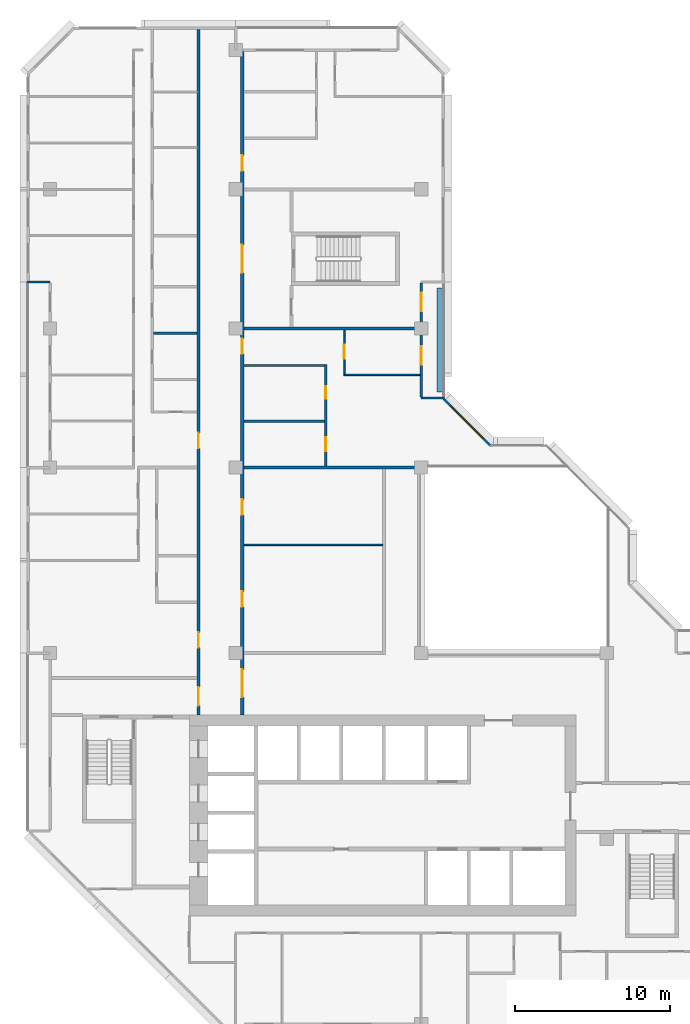
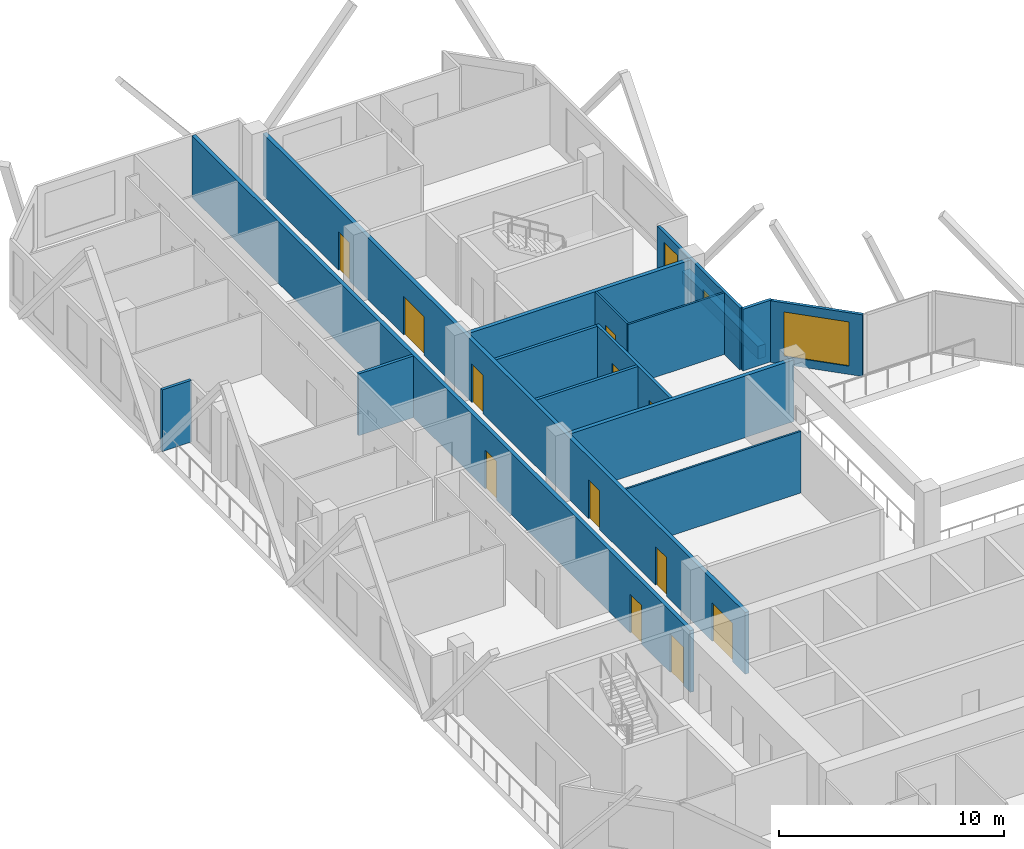
# One storey, part 9 of 15: 16 walls, 13 doors, 2 windows, 15 openings.
"""IFC4 building model written with IfcOpenShell, lengths in metres."""

from ifc_helpers import new_model, si_unit, direction, frame, frame_2d, origin, place, context, subcontext, project, spatial, rectangle, extrude, material, layer, layer_set, type_object, element, fill, save


model = new_model("IFC4")

# Units and contexts
model_context = context("Model", 3, precision=1e-05, world=origin(), true_north=direction((0.0, 1.0)))
body_context = subcontext(model_context, "Body", "Model", "MODEL_VIEW")
ifc_project = project(units=[si_unit("LENGTHUNIT", "METRE"), si_unit("AREAUNIT", "SQUARE_METRE"), si_unit("VOLUMEUNIT", "CUBIC_METRE"), si_unit("PLANEANGLEUNIT", "RADIAN"), si_unit("MASSUNIT", "GRAM", prefix="KILO")], contexts=[model_context])

# Site, building, storey
site_placement = place(None, origin())
site = spatial("IfcSite", under=ifc_project, at=site_placement, CompositionType="ELEMENT")
building_placement = place(site_placement, origin())
building = spatial("IfcBuilding", under=site, at=building_placement, Name="Chenar Terraces", CompositionType="ELEMENT")
storey_placement = place(building_placement, frame((0.0, 0.0, 211.64990234375)))
storey = spatial("IfcBuildingStorey", under=building, at=storey_placement, Name="L49", CompositionType="ELEMENT", Elevation=211.64990234375)

# Wall, openings, doors
ifc_material_1 = material(Name="Gypsum board on steel studs with fire boards", Category="steel")
ifc_layer_1 = layer(ifc_material_1, 0.199951171875)
ifc_layer_set_1 = layer_set([ifc_layer_1], Name="Gypsum board on steel studs with fire boards")
wall_type_1 = type_object("IfcWallType", Name="Corridor wall 200", PredefinedType="PARTITIONING", material=ifc_layer_set_1)
wall_1_placement = place(storey_placement, frame((9.60009765625, 20.0, 0.0), z_axis=(0.0, 0.0, 1.0), x_axis=(0.0, 1.0, 0.0)))
wall_1 = element("IfcWall", 1, at=wall_1_placement, inside=storey, type_object=wall_type_1, Name="Partition L49-030", PredefinedType="PARTITIONING", context=body_context, shape_type="SweptSolid", body=[
    extrude(rectangle(XDim=44.35009765625, YDim=0.199951171875, at=frame_2d((22.175048828125, 0.0))), origin(), (0.0, 0.0, 1.0), 3.35009765625),
])
opening_1_placement = place(wall_1_placement, frame((17.25, 0.0, 0.0)))
opening_1 = element("IfcOpeningElement", 2, at=opening_1_placement, cuts=wall_1, Name="Opening DL49-29", PredefinedType="OPENING", context=body_context, shape_type="SweptSolid", body=[
    extrude(rectangle(XDim=1.0, YDim=2.10009765625, at=frame_2d((0.5, 1.050048828125))), frame((0.0, 0.10986328125, 0.0), z_axis=(0.0, -1.0, 0.0), x_axis=(1.0, 0.0, 0.0)), (0.0, 0.0, 1.0), 0.219970703125),
])
opening_2_placement = place(wall_1_placement, frame((0.60009765625, 0.0, 0.0)))
opening_2 = element("IfcOpeningElement", 3, at=opening_2_placement, cuts=wall_1, Name="Opening DL49-40", PredefinedType="OPENING", context=body_context, shape_type="SweptSolid", body=[
    extrude(rectangle(XDim=1.199951171875, YDim=2.10009765625, at=frame_2d((0.60009765625, 1.050048828125))), frame((0.0, 0.10986328125, 0.0), z_axis=(0.0, -1.0, 0.0), x_axis=(1.0, 0.0, 0.0)), (0.0, 0.0, 1.0), 0.219970703125),
])
opening_3_placement = place(wall_1_placement, frame((4.35009765625, 0.0, 0.0)))
opening_3 = element("IfcOpeningElement", 4, at=opening_3_placement, cuts=wall_1, Name="Opening DL49-61", PredefinedType="OPENING", context=body_context, shape_type="SweptSolid", body=[
    extrude(rectangle(XDim=1.0, YDim=2.10009765625, at=frame_2d((0.5, 1.050048828125))), frame((0.0, 0.10986328125, 0.0), z_axis=(0.0, -1.0, 0.0), x_axis=(1.0, 0.0, 0.0)), (0.0, 0.0, 1.0), 0.219970703125),
])
ifc_material_2 = material(Name="Steel-framed fire-resisting door leaf", Category="steel")
door_type_1 = type_object("IfcDoorType", Name="Fire door FD30S 1000 x 2100", OperationType="SINGLE_SWING_LEFT", PredefinedType="DOOR", material=ifc_material_2)
door_1_placement = place(opening_1_placement, origin())
door_1 = element("IfcDoor", 5, at=door_1_placement, inside=storey, type_object=door_type_1, Name="Door DL49-29", OperationType="SINGLE_SWING_LEFT", OverallHeight=2.10009765625, OverallWidth=1.0, PredefinedType="DOOR", context=body_context, shape_type="SweptSolid", body=[
    extrude(rectangle(XDim=1.0, YDim=2.10009765625, at=frame_2d((0.5, 1.050048828125))), frame((0.0, 0.02490234375, 0.0), z_axis=(0.0, -1.0, 0.0), x_axis=(1.0, 0.0, 0.0)), (0.0, 0.0, 1.0), 0.050048828125),
])
fill(opening_1, door_1)
door_2_placement = place(opening_3_placement, origin())
door_2 = element("IfcDoor", 6, at=door_2_placement, inside=storey, type_object=door_type_1, Name="Door DL49-61", OperationType="SINGLE_SWING_RIGHT", OverallHeight=2.10009765625, OverallWidth=1.0, PredefinedType="DOOR", context=body_context, shape_type="SweptSolid", body=[
    extrude(rectangle(XDim=1.0, YDim=2.10009765625, at=frame_2d((0.5, 1.050048828125))), frame((0.0, 0.02490234375, 0.0), z_axis=(0.0, -1.0, 0.0), x_axis=(1.0, 0.0, 0.0)), (0.0, 0.0, 1.0), 0.050048828125),
])
fill(opening_3, door_2)
ifc_material_3 = material(Name="Steel-framed fire-resisting door leaf", Category="steel")
door_type_2 = type_object("IfcDoorType", Name="Fire door FD30S 1200 x 2100", OperationType="SINGLE_SWING_LEFT", PredefinedType="DOOR", material=ifc_material_3)
door_3_placement = place(opening_2_placement, origin())
door_3 = element("IfcDoor", 7, at=door_3_placement, inside=storey, type_object=door_type_2, Name="Door DL49-40", OperationType="SINGLE_SWING_RIGHT", OverallHeight=2.10009765625, OverallWidth=1.199951171875, PredefinedType="DOOR", context=body_context, shape_type="SweptSolid", body=[
    extrude(rectangle(XDim=1.199951171875, YDim=2.10009765625, at=frame_2d((0.60009765625, 1.050048828125))), frame((0.0, 0.02490234375, 0.0), z_axis=(0.0, -1.0, 0.0), x_axis=(1.0, 0.0, 0.0)), (0.0, 0.0, 1.0), 0.050048828125),
])
fill(opening_2, door_3)

wall_2_placement = place(storey_placement, frame((12.425048828125, 20.0, 0.0), z_axis=(0.0, 0.0, 1.0), x_axis=(0.0, 1.0, 0.0)))
wall_2 = element("IfcWall", 8, at=wall_2_placement, inside=storey, type_object=wall_type_1, Name="Partition L49-033", PredefinedType="PARTITIONING", context=body_context, shape_type="SweptSolid", body=[
    extrude(rectangle(XDim=42.926025390625, YDim=0.199951171875, at=frame_2d((21.462890625, 0.0))), origin(), (0.0, 0.0, 1.0), 3.35009765625),
])
opening_4_placement = place(wall_2_placement, frame((7.0, 0.0, 0.0)))
opening_4 = element("IfcOpeningElement", 9, at=opening_4_placement, cuts=wall_2, Name="Opening DL49-1", PredefinedType="OPENING", context=body_context, shape_type="SweptSolid", body=[
    extrude(rectangle(XDim=1.0, YDim=2.10009765625, at=frame_2d((0.5, 1.050048828125))), frame((0.0, 0.10986328125, 0.0), z_axis=(0.0, -1.0, 0.0), x_axis=(1.0, 0.0, 0.0)), (0.0, 0.0, 1.0), 0.219970703125),
])
opening_5_placement = place(wall_2_placement, frame((12.949951171875, 0.0, 0.0)))
opening_5 = element("IfcOpeningElement", 10, at=opening_5_placement, cuts=wall_2, Name="Opening DL49-2", PredefinedType="OPENING", context=body_context, shape_type="SweptSolid", body=[
    extrude(rectangle(XDim=1.0, YDim=2.10009765625, at=frame_2d((0.5, 1.050048828125))), frame((0.0, 0.10986328125, 0.0), z_axis=(0.0, -1.0, 0.0), x_axis=(1.0, 0.0, 0.0)), (0.0, 0.0, 1.0), 0.219970703125),
])
opening_6_placement = place(wall_2_placement, frame((23.35009765625, 0.0, 0.0)))
opening_6 = element("IfcOpeningElement", 11, at=opening_6_placement, cuts=wall_2, Name="Opening DL49-18", PredefinedType="OPENING", context=body_context, shape_type="SweptSolid", body=[
    extrude(rectangle(XDim=1.0, YDim=2.10009765625, at=frame_2d((0.5, 1.050048828125))), frame((0.0, 0.10986328125, 0.0), z_axis=(0.0, -1.0, 0.0), x_axis=(1.0, 0.0, 0.0)), (0.0, 0.0, 1.0), 0.219970703125),
])
opening_7_placement = place(wall_2_placement, frame((35.199951171875, 0.0, 0.0)))
opening_7 = element("IfcOpeningElement", 12, at=opening_7_placement, cuts=wall_2, Name="Opening DL49-22", PredefinedType="OPENING", context=body_context, shape_type="SweptSolid", body=[
    extrude(rectangle(XDim=1.0, YDim=2.10009765625, at=frame_2d((0.5, 1.050048828125))), frame((0.0, 0.10986328125, 0.0), z_axis=(0.0, -1.0, 0.0), x_axis=(1.0, 0.0, 0.0)), (0.0, 0.0, 1.0), 0.219970703125),
])
opening_8_placement = place(wall_2_placement, frame((1.14990234375, 0.0, 0.0)))
opening_8 = element("IfcOpeningElement", 13, at=opening_8_placement, cuts=wall_2, Name="Opening DL49-39", PredefinedType="OPENING", context=body_context, shape_type="SweptSolid", body=[
    extrude(rectangle(XDim=1.800048828125, YDim=2.10009765625, at=frame_2d((0.89990234375, 1.050048828125))), frame((0.0, 0.10986328125, 0.0), z_axis=(0.0, -1.0, 0.0), x_axis=(1.0, 0.0, 0.0)), (0.0, 0.0, 1.0), 0.219970703125),
])
opening_9_placement = place(wall_2_placement, frame((28.60009765625, 0.0, 0.0)))
opening_9 = element("IfcOpeningElement", 14, at=opening_9_placement, cuts=wall_2, Name="Opening DL49-41", PredefinedType="OPENING", context=body_context, shape_type="SweptSolid", body=[
    extrude(rectangle(XDim=1.800048828125, YDim=2.10009765625, at=frame_2d((0.89990234375, 1.050048828125))), frame((0.0, 0.10986328125, 0.0), z_axis=(0.0, -1.0, 0.0), x_axis=(1.0, 0.0, 0.0)), (0.0, 0.0, 1.0), 0.219970703125),
])
ifc_material_4 = material(Name="Steel-framed fire-resisting door leaf", Category="steel")
door_type_3 = type_object("IfcDoorType", Name="Fire door FD60 1000 x 2100", OperationType="SINGLE_SWING_LEFT", PredefinedType="DOOR", material=ifc_material_4)
door_4_placement = place(opening_4_placement, frame((1.0, 0.0, 0.0), z_axis=(0.0, 0.0, 1.0), x_axis=(-1.0, 0.0, 0.0)))
door_4 = element("IfcDoor", 15, at=door_4_placement, inside=storey, type_object=door_type_3, Name="Door DL49-1", OperationType="SINGLE_SWING_LEFT", OverallHeight=2.10009765625, OverallWidth=1.0, PredefinedType="DOOR", context=body_context, shape_type="SweptSolid", body=[
    extrude(rectangle(XDim=1.0, YDim=2.10009765625, at=frame_2d((0.5, 1.050048828125))), frame((0.0, 0.02490234375, 0.0), z_axis=(0.0, -1.0, 0.0), x_axis=(1.0, 0.0, 0.0)), (0.0, 0.0, 1.0), 0.050048828125),
])
fill(opening_4, door_4)
door_5_placement = place(opening_5_placement, frame((1.0, 0.0, 0.0), z_axis=(0.0, 0.0, 1.0), x_axis=(-1.0, 0.0, 0.0)))
door_5 = element("IfcDoor", 16, at=door_5_placement, inside=storey, type_object=door_type_3, Name="Door DL49-2", OperationType="SINGLE_SWING_LEFT", OverallHeight=2.10009765625, OverallWidth=1.0, PredefinedType="DOOR", context=body_context, shape_type="SweptSolid", body=[
    extrude(rectangle(XDim=1.0, YDim=2.10009765625, at=frame_2d((0.5, 1.050048828125))), frame((0.0, 0.02490234375, 0.0), z_axis=(0.0, -1.0, 0.0), x_axis=(1.0, 0.0, 0.0)), (0.0, 0.0, 1.0), 0.050048828125),
])
fill(opening_5, door_5)
door_6_placement = place(opening_6_placement, frame((1.0, 0.0, 0.0), z_axis=(0.0, 0.0, 1.0), x_axis=(-1.0, 0.0, 0.0)))
door_6 = element("IfcDoor", 17, at=door_6_placement, inside=storey, type_object=door_type_3, Name="Door DL49-18", OperationType="SINGLE_SWING_LEFT", OverallHeight=2.10009765625, OverallWidth=1.0, PredefinedType="DOOR", context=body_context, shape_type="SweptSolid", body=[
    extrude(rectangle(XDim=1.0, YDim=2.10009765625, at=frame_2d((0.5, 1.050048828125))), frame((0.0, 0.02490234375, 0.0), z_axis=(0.0, -1.0, 0.0), x_axis=(1.0, 0.0, 0.0)), (0.0, 0.0, 1.0), 0.050048828125),
])
fill(opening_6, door_6)
door_7_placement = place(opening_7_placement, frame((1.0, 0.0, 0.0), z_axis=(0.0, 0.0, 1.0), x_axis=(-1.0, 0.0, 0.0)))
door_7 = element("IfcDoor", 18, at=door_7_placement, inside=storey, type_object=door_type_3, Name="Door DL49-22", OperationType="SINGLE_SWING_LEFT", OverallHeight=2.10009765625, OverallWidth=1.0, PredefinedType="DOOR", context=body_context, shape_type="SweptSolid", body=[
    extrude(rectangle(XDim=1.0, YDim=2.10009765625, at=frame_2d((0.5, 1.050048828125))), frame((0.0, 0.02490234375, 0.0), z_axis=(0.0, -1.0, 0.0), x_axis=(1.0, 0.0, 0.0)), (0.0, 0.0, 1.0), 0.050048828125),
])
fill(opening_7, door_7)
ifc_material_5 = material(Name="Steel-framed fire-resisting door leaf", Category="steel")
door_type_4 = type_object("IfcDoorType", Name="Fire double door FD60 1800 x 2100", OperationType="DOUBLE_DOOR_SINGLE_SWING", PredefinedType="DOOR", material=ifc_material_5)
door_8_placement = place(opening_8_placement, frame((1.800048828125, 0.0, 0.0), z_axis=(0.0, 0.0, 1.0), x_axis=(-1.0, 0.0, 0.0)))
door_8 = element("IfcDoor", 19, at=door_8_placement, inside=storey, type_object=door_type_4, Name="Door DL49-39", OperationType="DOUBLE_DOOR_SINGLE_SWING", OverallHeight=2.10009765625, OverallWidth=1.800048828125, PredefinedType="DOOR", context=body_context, shape_type="SweptSolid", body=[
    extrude(rectangle(XDim=1.800048828125, YDim=2.10009765625, at=frame_2d((0.89990234375, 1.050048828125))), frame((0.0, 0.02490234375, 0.0), z_axis=(0.0, -1.0, 0.0), x_axis=(1.0, 0.0, 0.0)), (0.0, 0.0, 1.0), 0.050048828125),
])
fill(opening_8, door_8)
door_9_placement = place(opening_9_placement, frame((1.800048828125, 0.0, 0.0), z_axis=(0.0, 0.0, 1.0), x_axis=(-1.0, 0.0, 0.0)))
door_9 = element("IfcDoor", 20, at=door_9_placement, inside=storey, type_object=door_type_4, Name="Door DL49-41", OperationType="DOUBLE_DOOR_SINGLE_SWING", OverallHeight=2.10009765625, OverallWidth=1.800048828125, PredefinedType="DOOR", context=body_context, shape_type="SweptSolid", body=[
    extrude(rectangle(XDim=1.800048828125, YDim=2.10009765625, at=frame_2d((0.89990234375, 1.050048828125))), frame((0.0, 0.02490234375, 0.0), z_axis=(0.0, -1.0, 0.0), x_axis=(1.0, 0.0, 0.0)), (0.0, 0.0, 1.0), 0.050048828125),
])
fill(opening_9, door_9)

# Wall, openings, window, door
ifc_material_6 = material(Name="Aluminium framed glazing", Category="aluminium")
ifc_layer_2 = layer(ifc_material_6, 0.14990234375)
ifc_layer_set_2 = layer_set([ifc_layer_2], Name="Aluminium framed glazing")
wall_type_2 = type_object("IfcWallType", Name="Glazed loggia back wall 150", PredefinedType="SOLIDWALL", material=ifc_layer_set_2)
wall_3_placement = place(storey_placement, frame((24.0, 40.574951171875, 0.0), z_axis=(0.0, 0.0, 1.0), x_axis=(0.0, 1.0, 0.0)))
wall_3 = element("IfcWall", 21, at=wall_3_placement, inside=storey, type_object=wall_type_2, Name="Glazed loggia back wall", PredefinedType="SOLIDWALL", context=body_context, shape_type="SweptSolid", body=[
    extrude(rectangle(XDim=7.35009765625, YDim=0.14990234375, at=frame_2d((3.675048828125, 0.0))), origin(), (0.0, 0.0, 1.0), 3.35009765625),
])
opening_10_placement = place(wall_3_placement, frame((2.0625, 0.0, 0.0)))
opening_10 = element("IfcOpeningElement", 22, at=opening_10_placement, cuts=wall_3, Name="Opening DL49-G1", PredefinedType="OPENING", context=body_context, shape_type="SweptSolid", body=[
    extrude(rectangle(XDim=1.199951171875, YDim=2.39990234375, at=frame_2d((0.60009765625, 1.199951171875))), frame((0.0, 0.0849609375, 0.0), z_axis=(0.0, -1.0, 0.0), x_axis=(1.0, 0.0, 0.0)), (0.0, 0.0, 1.0), 0.169921875),
])
opening_11_placement = place(wall_3_placement, frame((5.550048828125, 0.0, 0.449951171875)))
opening_11 = element("IfcOpeningElement", 23, at=opening_11_placement, cuts=wall_3, Name="Opening W120x240", PredefinedType="OPENING", context=body_context, shape_type="SweptSolid", body=[
    extrude(rectangle(XDim=1.199951171875, YDim=2.39990234375, at=frame_2d((0.60009765625, 1.199951171875))), frame((0.0, 0.0849609375, 0.0), z_axis=(0.0, -1.0, 0.0), x_axis=(1.0, 0.0, 0.0)), (0.0, 0.0, 1.0), 0.169921875),
])
ifc_material_7 = material(Name="Low emissivity double glazing, aluminium frame", Category="aluminium")
window_type_1 = type_object("IfcWindowType", Name="Fixed light 1200 x 2400", PartitioningType="SINGLE_PANEL", PredefinedType="WINDOW", material=ifc_material_7)
window_1_placement = place(opening_11_placement, origin())
window_1 = element("IfcWindow", 24, at=window_1_placement, inside=storey, type_object=window_type_1, Name="Window", OverallHeight=2.39990234375, OverallWidth=1.199951171875, PartitioningType="SINGLE_PANEL", PredefinedType="WINDOW", context=body_context, shape_type="SweptSolid", body=[
    extrude(rectangle(XDim=1.199951171875, YDim=2.39990234375, at=frame_2d((0.60009765625, 1.199951171875))), frame((0.0, 0.030029296875, 0.0), z_axis=(0.0, -1.0, 0.0), x_axis=(1.0, 0.0, 0.0)), (0.0, 0.0, 1.0), 0.06005859375),
])
fill(opening_11, window_1)
ifc_material_8 = material(Name="Low emissivity double glazing, aluminium frame", Category="aluminium")
door_type_5 = type_object("IfcDoorType", Name="Loggia glazed double door 1200 x 2400", OperationType="DOUBLE_DOOR_SINGLE_SWING", PredefinedType="DOOR", material=ifc_material_8)
door_10_placement = place(opening_10_placement, frame((1.199951171875, 0.0, 0.0), z_axis=(0.0, 0.0, 1.0), x_axis=(-1.0, 0.0, 0.0)))
door_10 = element("IfcDoor", 25, at=door_10_placement, inside=storey, type_object=door_type_5, Name="Loggia glazed door", OperationType="DOUBLE_DOOR_SINGLE_SWING", OverallHeight=2.39990234375, OverallWidth=1.199951171875, PredefinedType="DOOR", context=body_context, shape_type="SweptSolid", body=[
    extrude(rectangle(XDim=1.199951171875, YDim=2.39990234375, at=frame_2d((0.60009765625, 1.199951171875))), frame((0.0, 0.02490234375, 0.0), z_axis=(0.0, -1.0, 0.0), x_axis=(1.0, 0.0, 0.0)), (0.0, 0.0, 1.0), 0.050048828125),
])
fill(opening_10, door_10)

# Walls
ifc_material_9 = material(Name="Gypsum board on steel studs", Category="steel")
ifc_layer_3 = layer(ifc_material_9, 0.10009765625)
ifc_layer_set_3 = layer_set([ifc_layer_3], Name="Gypsum board on steel studs")
wall_type_3 = type_object("IfcWallType", Name="Gypsum partition 100", PredefinedType="PARTITIONING", material=ifc_layer_set_3)
wall_4_placement = place(storey_placement, frame((12.52490234375, 31.0, 0.0), z_axis=(0.0, 0.0, 1.0), x_axis=(1.0, 0.0, 0.0)))
element("IfcWall", 26, at=wall_4_placement, inside=storey, type_object=wall_type_3, Name="Partition L49-035", PredefinedType="PARTITIONING", context=body_context, shape_type="SweptSolid", body=[
    extrude(rectangle(XDim=8.97509765625, YDim=0.10009765625, at=frame_2d((4.487548828125, 0.0))), origin(), (0.0, 0.0, 1.0), 3.35009765625),
])
wall_5_placement = place(storey_placement, frame((18.97509765625, 42.0, 0.0), z_axis=(0.0, 0.0, 1.0), x_axis=(1.0, 0.0, 0.0)))
element("IfcWall", 27, at=wall_5_placement, inside=storey, type_object=wall_type_3, Name="Partition L49-050", PredefinedType="PARTITIONING", context=body_context, shape_type="SweptSolid", body=[
    extrude(rectangle(XDim=4.950927734375, YDim=0.10009765625, at=frame_2d((2.4755859375, 0.0))), origin(), (0.0, 0.0, 1.0), 3.35009765625),
])

# Wall, opening, door
wall_6_placement = place(storey_placement, frame((19.02490234375, 42.050048828125, 0.0), z_axis=(0.0, 0.0, 1.0), x_axis=(0.0, 1.0, 0.0)))
wall_6 = element("IfcWall", 28, at=wall_6_placement, inside=storey, type_object=wall_type_3, Name="Partition L49-051", PredefinedType="PARTITIONING", context=body_context, shape_type="SweptSolid", body=[
    extrude(rectangle(XDim=2.849853515625, YDim=0.10009765625, at=frame_2d((1.4248046875, 0.0))), origin(), (0.0, 0.0, 1.0), 3.35009765625),
])
opening_12_placement = place(wall_6_placement, frame((1.0, 0.0, 0.0)))
opening_12 = element("IfcOpeningElement", 29, at=opening_12_placement, cuts=wall_6, Name="Opening DL49-16", PredefinedType="OPENING", context=body_context, shape_type="SweptSolid", body=[
    extrude(rectangle(XDim=0.89990234375, YDim=2.10009765625, at=frame_2d((0.449951171875, 1.050048828125))), frame((0.0, 0.06005859375, 0.0), z_axis=(0.0, -1.0, 0.0), x_axis=(1.0, 0.0, 0.0)), (0.0, 0.0, 1.0), 0.1201171875),
])
ifc_material_10 = material(Name="Veneered timber door leaf", Category="wood")
door_type_6 = type_object("IfcDoorType", Name="Door 900 x 2100", OperationType="SINGLE_SWING_LEFT", PredefinedType="DOOR", material=ifc_material_10)
door_11_placement = place(opening_12_placement, frame((0.89990234375, 0.0, 0.0), z_axis=(0.0, 0.0, 1.0), x_axis=(-1.0, 0.0, 0.0)))
door_11 = element("IfcDoor", 30, at=door_11_placement, inside=storey, type_object=door_type_6, Name="Door DL49-16", OperationType="SINGLE_SWING_LEFT", OverallHeight=2.10009765625, OverallWidth=0.89990234375, PredefinedType="DOOR", context=body_context, shape_type="SweptSolid", body=[
    extrude(rectangle(XDim=0.89990234375, YDim=2.10009765625, at=frame_2d((0.449951171875, 1.050048828125))), frame((0.0, 0.02490234375, 0.0), z_axis=(0.0, -1.0, 0.0), x_axis=(1.0, 0.0, 0.0)), (0.0, 0.0, 1.0), 0.050048828125),
])
fill(opening_12, door_11)

# Walls
ifc_material_11 = material(Name="Terracotta cladding on insulated backing", Category="masonry")
ifc_layer_4 = layer(ifc_material_11, 0.14990234375)
ifc_layer_set_4 = layer_set([ifc_layer_4], Name="Terracotta cladding on insulated backing")
wall_type_4 = type_object("IfcWallType", Name="Loggia return wall 150", PredefinedType="SOLIDWALL", material=ifc_layer_set_4)
for number, where, z_axis, x_axis, name in (
    (31, (25.5, 40.5, 0.0), (0.0, 0.0, 1.0), (-1.0, 0.0, 0.0), "Loggia return wall"),
    (32, (-1.5, 48.0, 0.0), (0.0, 0.0, 1.0), (1.0, 0.0, 0.0), "Loggia return wall"),
):
    element("IfcWall", number, at=place(storey_placement, frame(where, z_axis=z_axis, x_axis=x_axis)), inside=storey, type_object=wall_type_4, Name=name, PredefinedType="SOLIDWALL", context=body_context, shape_type="SweptSolid", body=[
        extrude(rectangle(XDim=1.5, YDim=0.14990234375, at=frame_2d((0.75, 0.0))), origin(), (0.0, 0.0, 1.0), 3.35009765625),
    ])

# Wall, opening, window
ifc_material_12 = material(Name="Terracotta cladding on insulated backing", Category="masonry")
ifc_layer_5 = layer(ifc_material_12, 0.14990234375)
ifc_layer_set_5 = layer_set([ifc_layer_5], Name="Terracotta cladding on insulated backing")
wall_type_5 = type_object("IfcWallType", Name="Terracotta rainscreen wall 150", PredefinedType="SOLIDWALL", material=ifc_layer_set_5)
wall_7_placement = place(storey_placement, frame((28.447021484375, 37.447021484375, 0.0), z_axis=(0.0, 0.0, 1.0), x_axis=(-0.707106781187, 0.707106781187, 0.0)))
wall_7 = element("IfcWall", 33, at=wall_7_placement, inside=storey, type_object=wall_type_5, Name="Terracotta rainscreen wall", PredefinedType="SOLIDWALL", context=body_context, shape_type="SweptSolid", body=[
    extrude(rectangle(XDim=4.24267578125, YDim=0.14990234375, at=frame_2d((2.121337890625, 0.0))), origin(), (0.0, 0.0, 1.0), 3.35009765625),
])
opening_13_placement = place(wall_7_placement, frame((0.621337890625, 0.0, 0.449951171875)))
opening_13 = element("IfcOpeningElement", 34, at=opening_13_placement, cuts=wall_7, Name="Opening W300x240", PredefinedType="OPENING", context=body_context, shape_type="SweptSolid", body=[
    extrude(rectangle(XDim=3.0, YDim=2.39990234375, at=frame_2d((1.5, 1.199951171875))), frame((0.0, 0.0849609375, 0.0), z_axis=(0.0, -1.0, 0.0), x_axis=(1.0, 0.0, 0.0)), (0.0, 0.0, 1.0), 0.169921875),
])
ifc_material_13 = material(Name="Low emissivity double glazing, aluminium frame", Category="aluminium")
window_type_2 = type_object("IfcWindowType", Name="Fixed light 3000 x 2400", PartitioningType="SINGLE_PANEL", PredefinedType="WINDOW", material=ifc_material_13)
window_2_placement = place(opening_13_placement, origin())
window_2 = element("IfcWindow", 35, at=window_2_placement, inside=storey, type_object=window_type_2, Name="Window", OverallHeight=2.39990234375, OverallWidth=3.0, PartitioningType="SINGLE_PANEL", PredefinedType="WINDOW", context=body_context, shape_type="SweptSolid", body=[
    extrude(rectangle(XDim=3.0, YDim=2.39990234375, at=frame_2d((1.5, 1.199951171875))), frame((0.0, 0.030029296875, 0.0), z_axis=(0.0, -1.0, 0.0), x_axis=(1.0, 0.0, 0.0)), (0.0, 0.0, 1.0), 0.06005859375),
])
fill(opening_13, window_2)

# Walls
ifc_material_14 = material(Name="Twin gypsum board on steel studs with mineral wool", Category="steel")
ifc_layer_6 = layer(ifc_material_14, 0.199951171875)
ifc_layer_set_6 = layer_set([ifc_layer_6], Name="Twin gypsum board on steel studs with mineral wool")
wall_type_6 = type_object("IfcWallType", Name="Unit demising wall 200", PredefinedType="PARTITIONING", material=ifc_layer_set_6)
wall_8_placement = place(storey_placement, frame((12.52490234375, 36.0, 0.0), z_axis=(0.0, 0.0, 1.0), x_axis=(1.0, 0.0, 0.0)))
element("IfcWall", 36, at=wall_8_placement, inside=storey, type_object=wall_type_6, Name="Partition L49-036", PredefinedType="PARTITIONING", context=body_context, shape_type="SweptSolid", body=[
    extrude(rectangle(XDim=11.47509765625, YDim=0.199951171875, at=frame_2d((5.737548828125, 0.0))), origin(), (0.0, 0.0, 1.0), 3.35009765625),
])
wall_9_placement = place(storey_placement, frame((12.52490234375, 45.0, 0.0), z_axis=(0.0, 0.0, 1.0), x_axis=(1.0, 0.0, 0.0)))
element("IfcWall", 37, at=wall_9_placement, inside=storey, type_object=wall_type_6, Name="Partition L49-039", PredefinedType="PARTITIONING", context=body_context, shape_type="SweptSolid", body=[
    extrude(rectangle(XDim=11.401123046875, YDim=0.199951171875, at=frame_2d((5.70068359375, 0.0))), origin(), (0.0, 0.0, 1.0), 3.35009765625),
])
ifc_material_15 = material(Name="GRP planter trough")
ifc_layer_7 = layer(ifc_material_15, 0.39990234375)
ifc_layer_set_7 = layer_set([ifc_layer_7], Name="GRP planter trough")
wall_type_7 = type_object("IfcWallType", Name="Vertical greenery planter 400", PredefinedType="SOLIDWALL", material=ifc_layer_set_7)
wall_10_placement = place(storey_placement, frame((25.22900390625, 40.875, 0.0), z_axis=(0.0, 0.0, 1.0), x_axis=(0.0, 1.0, 0.0)))
element("IfcWall", 38, at=wall_10_placement, inside=storey, type_object=wall_type_7, Name="Vertical greenery planter", PredefinedType="SOLIDWALL", context=body_context, shape_type="SweptSolid", body=[
    extrude(rectangle(XDim=6.75, YDim=0.39990234375, at=frame_2d((3.375, 0.0))), origin(), (0.0, 0.0, 1.0), 0.7001953125),
])
ifc_material_16 = material(Name="Moisture-resistant gypsum board on steel studs", Category="steel")
ifc_layer_8 = layer(ifc_material_16, 0.14990234375)
ifc_layer_set_8 = layer_set([ifc_layer_8], Name="Moisture-resistant gypsum board on steel studs")
wall_type_8 = type_object("IfcWallType", Name="Wet-room partition 150", PredefinedType="PARTITIONING", material=ifc_layer_set_8)
wall_11_placement = place(storey_placement, frame((6.675048828125, 44.699951171875, 0.0), z_axis=(0.0, 0.0, 1.0), x_axis=(1.0, 0.0, 0.0)))
element("IfcWall", 39, at=wall_11_placement, inside=storey, type_object=wall_type_8, Name="Partition L49-020", PredefinedType="PARTITIONING", context=body_context, shape_type="SweptSolid", body=[
    extrude(rectangle(XDim=2.824951171875, YDim=0.14990234375, at=frame_2d((1.41259765625, 0.0))), origin(), (0.0, 0.0, 1.0), 3.35009765625),
])
for number, where, z_axis, x_axis, name in (
    (40, (12.52490234375, 39.0, 0.0), (0.0, 0.0, 1.0), (1.0, 0.0, 0.0), "Partition L49-037"),
    (41, (12.52490234375, 42.60009765625, 0.0), (0.0, 0.0, 1.0), (1.0, 0.0, 0.0), "Partition L49-038"),
):
    element("IfcWall", number, at=place(storey_placement, frame(where, z_axis=z_axis, x_axis=x_axis)), inside=storey, type_object=wall_type_8, Name=name, PredefinedType="PARTITIONING", context=body_context, shape_type="SweptSolid", body=[
        extrude(rectangle(XDim=5.22509765625, YDim=0.14990234375, at=frame_2d((2.612548828125, 0.0))), origin(), (0.0, 0.0, 1.0), 3.35009765625),
    ])

# Wall, openings, doors
wall_12_placement = place(storey_placement, frame((17.824951171875, 36.10009765625, 0.0), z_axis=(0.0, 0.0, 1.0), x_axis=(0.0, 1.0, 0.0)))
wall_12 = element("IfcWall", 42, at=wall_12_placement, inside=storey, type_object=wall_type_8, Name="Partition L49-047", PredefinedType="PARTITIONING", context=body_context, shape_type="SweptSolid", body=[
    extrude(rectangle(XDim=6.574951171875, YDim=0.14990234375, at=frame_2d((3.28759765625, 0.0))), origin(), (0.0, 0.0, 1.0), 3.35009765625),
])
opening_14_placement = place(wall_12_placement, frame((4.35009765625, 0.0, 0.0)))
opening_14 = element("IfcOpeningElement", 43, at=opening_14_placement, cuts=wall_12, Name="Opening DL49-15", PredefinedType="OPENING", context=body_context, shape_type="SweptSolid", body=[
    extrude(rectangle(XDim=0.800048828125, YDim=2.10009765625, at=frame_2d((0.39990234375, 1.050048828125))), frame((0.0, 0.0849609375, 0.0), z_axis=(0.0, -1.0, 0.0), x_axis=(1.0, 0.0, 0.0)), (0.0, 0.0, 1.0), 0.169921875),
])
opening_15_placement = place(wall_12_placement, frame((0.949951171875, 0.0, 0.0)))
opening_15 = element("IfcOpeningElement", 44, at=opening_15_placement, cuts=wall_12, Name="Opening DL49-17", PredefinedType="OPENING", context=body_context, shape_type="SweptSolid", body=[
    extrude(rectangle(XDim=0.89990234375, YDim=2.10009765625, at=frame_2d((0.449951171875, 1.050048828125))), frame((0.0, 0.0849609375, 0.0), z_axis=(0.0, -1.0, 0.0), x_axis=(1.0, 0.0, 0.0)), (0.0, 0.0, 1.0), 0.169921875),
])
ifc_material_17 = material(Name="Veneered timber door leaf", Category="wood")
door_type_7 = type_object("IfcDoorType", Name="Door 800 x 2100", OperationType="SINGLE_SWING_LEFT", PredefinedType="DOOR", material=ifc_material_17)
door_12_placement = place(opening_14_placement, origin())
door_12 = element("IfcDoor", 45, at=door_12_placement, inside=storey, type_object=door_type_7, Name="Door DL49-15", OperationType="SINGLE_SWING_RIGHT", OverallHeight=2.10009765625, OverallWidth=0.800048828125, PredefinedType="DOOR", context=body_context, shape_type="SweptSolid", body=[
    extrude(rectangle(XDim=0.800048828125, YDim=2.10009765625, at=frame_2d((0.39990234375, 1.050048828125))), frame((0.0, 0.02490234375, 0.0), z_axis=(0.0, -1.0, 0.0), x_axis=(1.0, 0.0, 0.0)), (0.0, 0.0, 1.0), 0.050048828125),
])
fill(opening_14, door_12)
door_13_placement = place(opening_15_placement, origin())
door_13 = element("IfcDoor", 46, at=door_13_placement, inside=storey, type_object=door_type_6, Name="Door DL49-17", OperationType="SINGLE_SWING_RIGHT", OverallHeight=2.10009765625, OverallWidth=0.89990234375, PredefinedType="DOOR", context=body_context, shape_type="SweptSolid", body=[
    extrude(rectangle(XDim=0.89990234375, YDim=2.10009765625, at=frame_2d((0.449951171875, 1.050048828125))), frame((0.0, 0.02490234375, 0.0), z_axis=(0.0, -1.0, 0.0), x_axis=(1.0, 0.0, 0.0)), (0.0, 0.0, 1.0), 0.050048828125),
])
fill(opening_15, door_13)

save(model, "model.ifc")
